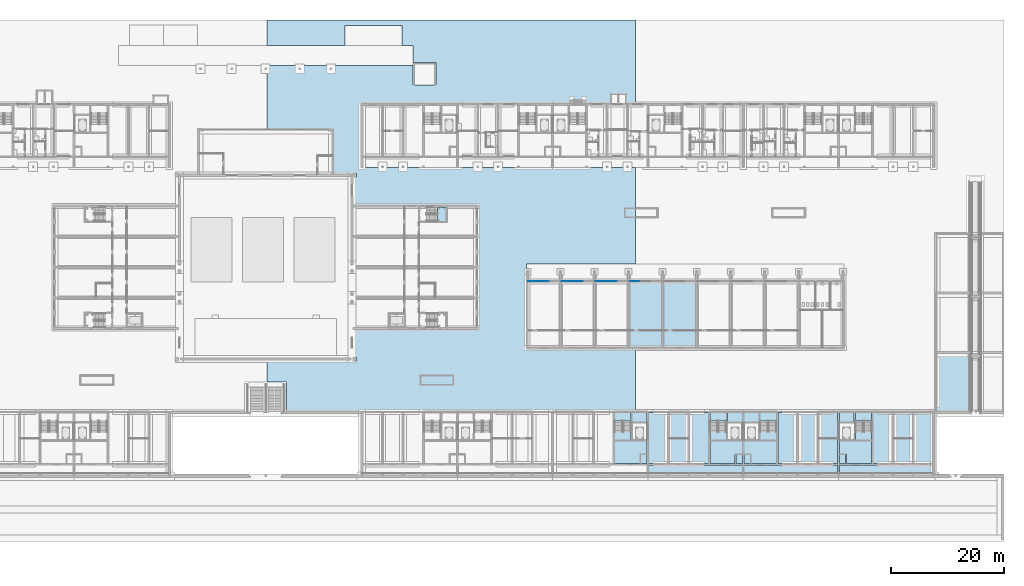
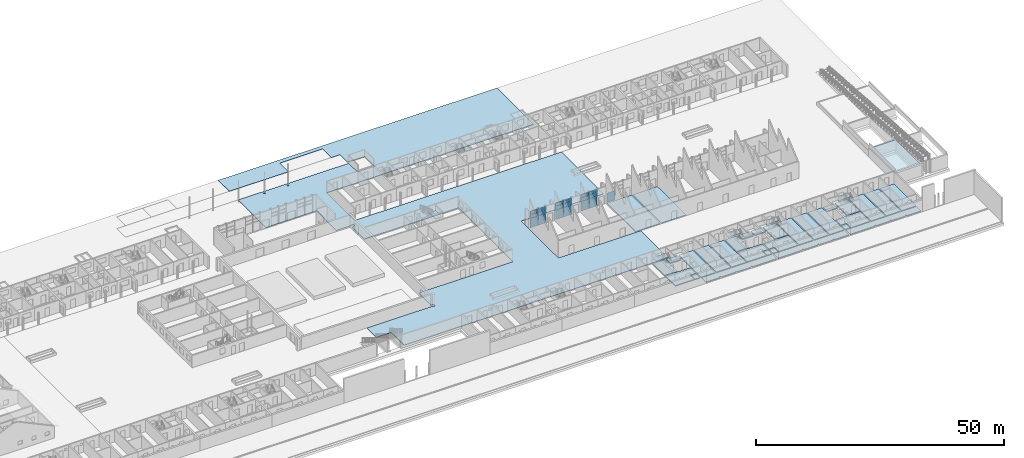
# One storey, part 33 of 112: 37 slabs, 19 plates, 9 elements without a shape of their own.
"""IFC4 building model written with IfcOpenShell, lengths in metres."""

from ifc_helpers import new_model, si_unit, direction, frame, origin, origin_2d, place, context, subcontext, project, spatial, polyline, rectangle, outline, extrude, material, layer, layer_set, type_object, element, aggregate, save


model = new_model("IFC4")

# Units and contexts
model_context = context("Model", 3, precision=1e-05, world=origin(), true_north=direction((0.0, 1.0)))
body_context = subcontext(model_context, "Body", "Model", "MODEL_VIEW")
ifc_project = project(units=[si_unit("LENGTHUNIT", "METRE"), si_unit("AREAUNIT", "SQUARE_METRE"), si_unit("VOLUMEUNIT", "CUBIC_METRE"), si_unit("PLANEANGLEUNIT", "RADIAN"), si_unit("MASSUNIT", "GRAM", prefix="KILO")], contexts=[model_context])

# Site, building, storey
site_placement = place(None, origin())
site = spatial("IfcSite", under=ifc_project, at=site_placement, CompositionType="ELEMENT")
building_placement = place(site_placement, origin())
building = spatial("IfcBuilding", under=site, at=building_placement, Name="Ridgestep Commons", CompositionType="ELEMENT")
storey_placement = place(building_placement, origin())
storey = spatial("IfcBuildingStorey", under=building, at=storey_placement, Name="L00", CompositionType="ELEMENT", Elevation=0.0)

# Curtain wall, plates
ifc_material_1 = material(Name="Aluminium and glass", Category="aluminium")
ifc_layer_1 = layer(ifc_material_1, 0.14990234375)
ifc_layer_set_1 = layer_set([ifc_layer_1], Name="Shopfront curtain wall")
curtain_wall_type = type_object("IfcCurtainWallType", Name="Shopfront curtain wall", PredefinedType="NOTDEFINED", material=ifc_layer_set_1)
curtain_wall_1_placement = place(storey_placement, origin())
curtain_wall_1 = element("IfcCurtainWall", 1, at=curtain_wall_1_placement, inside=storey, type_object=curtain_wall_type, Name="Shopfront curtain wall", PredefinedType="NOTDEFINED")
ifc_material_2 = material(Name="Glass", Category="glass")
ifc_layer_2 = layer(ifc_material_2, 0.011962890625)
ifc_layer_set_2 = layer_set([ifc_layer_2], Name="Community glass panel 12")
plate_type = type_object("IfcPlateType", Name="Community glass panel 12", PredefinedType="CURTAIN_PANEL", material=ifc_layer_set_2)
plate_1_placement = place(storey_placement, frame((176.981201171875, 45.89990234375, 0.0498046875), z_axis=(0.0, 0.0, 1.0), x_axis=(1.0, 0.0, 0.0)))
plate_1 = element("IfcPlate", 2, at=plate_1_placement, type_object=plate_type, Name="CW3 panel 1.1", PredefinedType="CURTAIN_PANEL", context=body_context, shape_type="SweptSolid", body=[
    extrude(rectangle(XDim=1.762451171875, YDim=0.011962890625, at=origin_2d()), origin(), (0.0, 0.0, 1.0), 2.324951171875),
])
plate_2_placement = place(storey_placement, frame((176.981201171875, 45.89990234375, 2.425048828125), z_axis=(0.0, 0.0, 1.0), x_axis=(1.0, 0.0, 0.0)))
plate_2 = element("IfcPlate", 3, at=plate_2_placement, type_object=plate_type, Name="CW3 panel 1.2", PredefinedType="CURTAIN_PANEL", context=body_context, shape_type="SweptSolid", body=[
    extrude(rectangle(XDim=1.762451171875, YDim=0.011962890625, at=origin_2d()), origin(), (0.0, 0.0, 1.0), 0.85009765625),
])
plate_3_placement = place(storey_placement, frame((176.981201171875, 45.89990234375, 3.3251953125), z_axis=(0.0, 0.0, 1.0), x_axis=(1.0, 0.0, 0.0)))
plate_3 = element("IfcPlate", 4, at=plate_3_placement, type_object=plate_type, Name="CW3 panel 1.3", PredefinedType="CURTAIN_PANEL", context=body_context, shape_type="SweptSolid", body=[
    extrude(rectangle(XDim=1.762451171875, YDim=0.011962890625, at=origin_2d()), origin(), (0.0, 0.0, 1.0), 0.824951171875),
])
plate_4_placement = place(storey_placement, frame((178.793701171875, 45.89990234375, 0.0498046875), z_axis=(0.0, 0.0, 1.0), x_axis=(1.0, 0.0, 0.0)))
plate_4 = element("IfcPlate", 5, at=plate_4_placement, type_object=plate_type, Name="CW3 panel 2.1", PredefinedType="CURTAIN_PANEL", context=body_context, shape_type="SweptSolid", body=[
    extrude(rectangle(XDim=1.762451171875, YDim=0.011962890625, at=origin_2d()), origin(), (0.0, 0.0, 1.0), 2.324951171875),
])
plate_5_placement = place(storey_placement, frame((178.793701171875, 45.89990234375, 2.425048828125), z_axis=(0.0, 0.0, 1.0), x_axis=(1.0, 0.0, 0.0)))
plate_5 = element("IfcPlate", 6, at=plate_5_placement, type_object=plate_type, Name="CW3 panel 2.2", PredefinedType="CURTAIN_PANEL", context=body_context, shape_type="SweptSolid", body=[
    extrude(rectangle(XDim=1.762451171875, YDim=0.011962890625, at=origin_2d()), origin(), (0.0, 0.0, 1.0), 0.85009765625),
])
plate_6_placement = place(storey_placement, frame((178.793701171875, 45.89990234375, 3.3251953125), z_axis=(0.0, 0.0, 1.0), x_axis=(1.0, 0.0, 0.0)))
plate_6 = element("IfcPlate", 7, at=plate_6_placement, type_object=plate_type, Name="CW3 panel 2.3", PredefinedType="CURTAIN_PANEL", context=body_context, shape_type="SweptSolid", body=[
    extrude(rectangle(XDim=1.762451171875, YDim=0.011962890625, at=origin_2d()), origin(), (0.0, 0.0, 1.0), 0.824951171875),
])
aggregate(curtain_wall_1, [plate_1, plate_2, plate_3, plate_4, plate_5, plate_6])

curtain_wall_2_placement = place(storey_placement, origin())
curtain_wall_2 = element("IfcCurtainWall", 8, at=curtain_wall_2_placement, inside=storey, type_object=curtain_wall_type, Name="Shopfront curtain wall", PredefinedType="NOTDEFINED")
plate_7_placement = place(storey_placement, frame((182.887451171875, 45.89990234375, 0.0498046875), z_axis=(0.0, 0.0, 1.0), x_axis=(1.0, 0.0, 0.0)))
plate_7 = element("IfcPlate", 9, at=plate_7_placement, type_object=plate_type, Name="CW3 panel 1.1", PredefinedType="CURTAIN_PANEL", context=body_context, shape_type="SweptSolid", body=[
    extrude(rectangle(XDim=1.824951171875, YDim=0.011962890625, at=origin_2d()), origin(), (0.0, 0.0, 1.0), 2.324951171875),
])
plate_8_placement = place(storey_placement, frame((182.887451171875, 45.89990234375, 2.425048828125), z_axis=(0.0, 0.0, 1.0), x_axis=(1.0, 0.0, 0.0)))
plate_8 = element("IfcPlate", 10, at=plate_8_placement, type_object=plate_type, Name="CW3 panel 1.2", PredefinedType="CURTAIN_PANEL", context=body_context, shape_type="SweptSolid", body=[
    extrude(rectangle(XDim=1.824951171875, YDim=0.011962890625, at=origin_2d()), origin(), (0.0, 0.0, 1.0), 0.85009765625),
])
plate_9_placement = place(storey_placement, frame((182.887451171875, 45.89990234375, 3.3251953125), z_axis=(0.0, 0.0, 1.0), x_axis=(1.0, 0.0, 0.0)))
plate_9 = element("IfcPlate", 11, at=plate_9_placement, type_object=plate_type, Name="CW3 panel 1.3", PredefinedType="CURTAIN_PANEL", context=body_context, shape_type="SweptSolid", body=[
    extrude(rectangle(XDim=1.824951171875, YDim=0.011962890625, at=origin_2d()), origin(), (0.0, 0.0, 1.0), 0.824951171875),
])
plate_10_placement = place(storey_placement, frame((184.762451171875, 45.89990234375, 0.0498046875), z_axis=(0.0, 0.0, 1.0), x_axis=(1.0, 0.0, 0.0)))
plate_10 = element("IfcPlate", 12, at=plate_10_placement, type_object=plate_type, Name="CW3 panel 2.1", PredefinedType="CURTAIN_PANEL", context=body_context, shape_type="SweptSolid", body=[
    extrude(rectangle(XDim=1.824951171875, YDim=0.011962890625, at=origin_2d()), origin(), (0.0, 0.0, 1.0), 2.324951171875),
])
plate_11_placement = place(storey_placement, frame((184.762451171875, 45.89990234375, 2.425048828125), z_axis=(0.0, 0.0, 1.0), x_axis=(1.0, 0.0, 0.0)))
plate_11 = element("IfcPlate", 13, at=plate_11_placement, type_object=plate_type, Name="CW3 panel 2.2", PredefinedType="CURTAIN_PANEL", context=body_context, shape_type="SweptSolid", body=[
    extrude(rectangle(XDim=1.824951171875, YDim=0.011962890625, at=origin_2d()), origin(), (0.0, 0.0, 1.0), 0.85009765625),
])
plate_12_placement = place(storey_placement, frame((184.762451171875, 45.89990234375, 3.3251953125), z_axis=(0.0, 0.0, 1.0), x_axis=(1.0, 0.0, 0.0)))
plate_12 = element("IfcPlate", 14, at=plate_12_placement, type_object=plate_type, Name="CW3 panel 2.3", PredefinedType="CURTAIN_PANEL", context=body_context, shape_type="SweptSolid", body=[
    extrude(rectangle(XDim=1.824951171875, YDim=0.011962890625, at=origin_2d()), origin(), (0.0, 0.0, 1.0), 0.824951171875),
])
aggregate(curtain_wall_2, [plate_7, plate_8, plate_9, plate_10, plate_11, plate_12])

curtain_wall_3_placement = place(storey_placement, origin())
curtain_wall_3 = element("IfcCurtainWall", 15, at=curtain_wall_3_placement, inside=storey, type_object=curtain_wall_type, Name="Shopfront curtain wall", PredefinedType="NOTDEFINED")
plate_13_placement = place(storey_placement, frame((188.887451171875, 45.89990234375, 0.0498046875), z_axis=(0.0, 0.0, 1.0), x_axis=(1.0, 0.0, 0.0)))
plate_13 = element("IfcPlate", 16, at=plate_13_placement, type_object=plate_type, Name="CW3 panel 1.1", PredefinedType="CURTAIN_PANEL", context=body_context, shape_type="SweptSolid", body=[
    extrude(rectangle(XDim=1.824951171875, YDim=0.011962890625, at=origin_2d()), origin(), (0.0, 0.0, 1.0), 2.324951171875),
])
plate_14_placement = place(storey_placement, frame((188.887451171875, 45.89990234375, 2.425048828125), z_axis=(0.0, 0.0, 1.0), x_axis=(1.0, 0.0, 0.0)))
plate_14 = element("IfcPlate", 17, at=plate_14_placement, type_object=plate_type, Name="CW3 panel 1.2", PredefinedType="CURTAIN_PANEL", context=body_context, shape_type="SweptSolid", body=[
    extrude(rectangle(XDim=1.824951171875, YDim=0.011962890625, at=origin_2d()), origin(), (0.0, 0.0, 1.0), 0.85009765625),
])
plate_15_placement = place(storey_placement, frame((188.887451171875, 45.89990234375, 3.3251953125), z_axis=(0.0, 0.0, 1.0), x_axis=(1.0, 0.0, 0.0)))
plate_15 = element("IfcPlate", 18, at=plate_15_placement, type_object=plate_type, Name="CW3 panel 1.3", PredefinedType="CURTAIN_PANEL", context=body_context, shape_type="SweptSolid", body=[
    extrude(rectangle(XDim=1.824951171875, YDim=0.011962890625, at=origin_2d()), origin(), (0.0, 0.0, 1.0), 0.824951171875),
])
plate_16_placement = place(storey_placement, frame((190.762451171875, 45.89990234375, 0.0498046875), z_axis=(0.0, 0.0, 1.0), x_axis=(1.0, 0.0, 0.0)))
plate_16 = element("IfcPlate", 19, at=plate_16_placement, type_object=plate_type, Name="CW3 panel 2.1", PredefinedType="CURTAIN_PANEL", context=body_context, shape_type="SweptSolid", body=[
    extrude(rectangle(XDim=1.824951171875, YDim=0.011962890625, at=origin_2d()), origin(), (0.0, 0.0, 1.0), 2.324951171875),
])
plate_17_placement = place(storey_placement, frame((190.762451171875, 45.89990234375, 2.425048828125), z_axis=(0.0, 0.0, 1.0), x_axis=(1.0, 0.0, 0.0)))
plate_17 = element("IfcPlate", 20, at=plate_17_placement, type_object=plate_type, Name="CW3 panel 2.2", PredefinedType="CURTAIN_PANEL", context=body_context, shape_type="SweptSolid", body=[
    extrude(rectangle(XDim=1.824951171875, YDim=0.011962890625, at=origin_2d()), origin(), (0.0, 0.0, 1.0), 0.85009765625),
])
plate_18_placement = place(storey_placement, frame((190.762451171875, 45.89990234375, 3.3251953125), z_axis=(0.0, 0.0, 1.0), x_axis=(1.0, 0.0, 0.0)))
plate_18 = element("IfcPlate", 21, at=plate_18_placement, type_object=plate_type, Name="CW3 panel 2.3", PredefinedType="CURTAIN_PANEL", context=body_context, shape_type="SweptSolid", body=[
    extrude(rectangle(XDim=1.824951171875, YDim=0.011962890625, at=origin_2d()), origin(), (0.0, 0.0, 1.0), 0.824951171875),
])
aggregate(curtain_wall_3, [plate_13, plate_14, plate_15, plate_16, plate_17, plate_18])

# Curtain wall, plate
curtain_wall_4_placement = place(storey_placement, origin())
curtain_wall_4 = element("IfcCurtainWall", 22, at=curtain_wall_4_placement, inside=storey, type_object=curtain_wall_type, Name="Shopfront curtain wall", PredefinedType="NOTDEFINED")
plate_19_placement = place(storey_placement, frame((194.887451171875, 45.89990234375, 0.0498046875), z_axis=(0.0, 0.0, 1.0), x_axis=(1.0, 0.0, 0.0)))
plate_19 = element("IfcPlate", 23, at=plate_19_placement, type_object=plate_type, Name="CW3 panel 1.1", PredefinedType="CURTAIN_PANEL", context=body_context, shape_type="SweptSolid", body=[
    extrude(rectangle(XDim=1.824951171875, YDim=0.011962890625, at=origin_2d()), origin(), (0.0, 0.0, 1.0), 2.324951171875),
])
aggregate(curtain_wall_4, [plate_19])

# Slabs
ifc_material_3 = material(Name="Concrete C30/37", Category="concrete")
ifc_layer_3 = layer(ifc_material_3, 0.14990234375)
ifc_layer_set_3 = layer_set([ifc_layer_3], Name="Community ground slab 150")
slab_type_1 = type_object("IfcSlabType", Name="Community ground slab 150", PredefinedType="BASESLAB", material=ifc_layer_set_3)
slab_1_placement = place(storey_placement, frame((0.0, 0.0, -0.14990234375)))
element("IfcSlab", 24, at=slab_1_placement, inside=storey, type_object=slab_type_1, Name="Community ground slab 150", PredefinedType="BASESLAB", context=body_context, shape_type="SweptSolid", body=[
    extrude(outline(polyline([(193.925048828125, 34.25), (199.675048828125, 34.25), (199.675048828125, 45.800048828125), (193.925048828125, 45.800048828125), (193.925048828125, 34.25)])), origin(), (0.0, 0.0, 1.0), 0.14990234375),
])
slab_2_placement = place(storey_placement, frame((0.0, 0.0, -0.14990234375)))
element("IfcSlab", 25, at=slab_2_placement, inside=storey, type_object=slab_type_1, Name="Community ground slab 150", PredefinedType="BASESLAB", context=body_context, shape_type="SweptSolid", body=[
    extrude(outline(polyline([(199.925048828125, 34.25), (205.675048828125, 34.25), (205.675048828125, 45.800048828125), (199.925048828125, 45.800048828125), (199.925048828125, 34.25)])), origin(), (0.0, 0.0, 1.0), 0.14990234375),
])
ifc_material_4 = material(Name="Concrete C30/37", Category="concrete")
ifc_layer_4 = layer(ifc_material_4, 0.14990234375)
ifc_layer_set_4 = layer_set([ifc_layer_4], Name="Community paving slab 150")
slab_type_2 = type_object("IfcSlabType", Name="Community paving slab 150", PredefinedType="BASESLAB", material=ifc_layer_set_4)
slab_3_placement = place(storey_placement, frame((0.0, 0.0, -0.14990234375)))
element("IfcSlab", 26, at=slab_3_placement, inside=storey, type_object=slab_type_2, Name="Court paving", PredefinedType="BASESLAB", context=body_context, shape_type="SweptSolid", body=[
    extrude(outline(polyline([(195.0, 23.0), (133.5, 23.0), (133.5, 28.199951171875), (132.800048828125, 28.199951171875), (132.5, 28.199951171875), (130.300048828125, 28.199951171875), (130.0, 28.199951171875), (130.0, 32.0), (145.199951171875, 32.0), (145.199951171875, 31.89990234375), (145.800048828125, 31.89990234375), (145.800048828125, 32.5), (145.199951171875, 32.5), (145.199951171875, 37.449951171875), (167.199951171875, 37.449951171875), (167.199951171875, 59.35009765625), (145.199951171875, 59.35009765625), (145.199951171875, 64.300048828125), (145.800048828125, 64.300048828125), (145.800048828125, 64.89990234375), (145.199951171875, 64.89990234375), (145.199951171875, 64.800048828125), (141.800048828125, 64.800048828125), (141.800048828125, 72.800048828125), (130.0, 72.800048828125), (130.0, 84.0), (155.800048828125, 84.0), (155.800048828125, 80.5), (159.800048828125, 80.5), (159.800048828125, 84.5), (155.800048828125, 84.5), (155.800048828125, 87.5), (153.800048828125, 87.5), (153.800048828125, 91.0), (143.800048828125, 91.0), (143.800048828125, 87.5), (130.0, 87.5), (130.0, 92.0), (195.0, 92.0), (195.0, 77.25), (146.800048828125, 77.25), (146.800048828125, 66.0), (195.0, 66.0), (195.0, 49.0), (175.800048828125, 49.0), (175.800048828125, 34.0), (195.0, 34.0), (195.0, 23.0)]), holes=[polyline([(135.949951171875, 83.25), (135.949951171875, 83.550048828125), (135.64990234375, 83.550048828125), (135.64990234375, 83.25), (135.949951171875, 83.25)]), polyline([(141.449951171875, 83.550048828125), (141.14990234375, 83.550048828125), (141.14990234375, 83.25), (141.449951171875, 83.25), (141.449951171875, 83.550048828125)])]), origin(), (0.0, 0.0, 1.0), 0.14990234375),
])

# Stair, slab
ifc_material_5 = material(Name="Concrete C30/37", Category="concrete")
stair_type_1 = type_object("IfcStairType", Name="Community stair", PredefinedType="HALF_TURN_STAIR", material=ifc_material_5)
stair_1_placement = place(storey_placement, origin())
stair_1 = element("IfcStair", 27, at=stair_1_placement, inside=storey, type_object=stair_type_1, Name="L00 AE-ST3", PredefinedType="HALF_TURN_STAIR")
ifc_material_6 = material(Name="Concrete C30/37", Category="concrete")
ifc_layer_5 = layer(ifc_material_6, 0.199951171875)
ifc_layer_set_5 = layer_set([ifc_layer_5], Name="Community stair landing slab 200")
slab_type_3 = type_object("IfcSlabType", Name="Community stair landing slab 200", PredefinedType="LANDING", material=ifc_layer_set_5)
slab_4_placement = place(storey_placement, frame((0.0, 0.0, 1.300048828125)))
slab_4 = element("IfcSlab", 28, at=slab_4_placement, type_object=slab_type_3, Name="AE-ST3 landing 1", PredefinedType="LANDING", context=body_context, shape_type="SweptSolid", body=[
    extrude(outline(polyline([(160.110107421875, 56.5), (161.590087890625, 56.5), (161.590087890625, 59.050048828125), (160.110107421875, 59.050048828125), (160.110107421875, 56.5)])), origin(), (0.0, 0.0, 1.0), 0.199951171875),
])
aggregate(stair_1, [slab_4])

# Slabs
ifc_material_7 = material(Name="Concrete C30/37", Category="concrete")
ifc_layer_6 = layer(ifc_material_7, 0.14990234375)
ifc_layer_set_6 = layer_set([ifc_layer_6], Name="Community terrace slab 150")
slab_type_4 = type_object("IfcSlabType", Name="Community terrace slab 150", PredefinedType="BASESLAB", material=ifc_layer_set_6)
slab_5_placement = place(storey_placement, frame((0.0, 0.0, 2.10009765625)))
element("IfcSlab", 29, at=slab_5_placement, inside=storey, type_object=slab_type_4, Name="Bank terrace paving", PredefinedType="BASESLAB", context=body_context, shape_type="SweptSolid", body=[
    extrude(outline(polyline([(248.10009765625, 23.0), (253.949951171875, 23.0), (253.949951171875, 33.199951171875), (248.10009765625, 33.199951171875), (248.10009765625, 23.0)])), origin(), (0.0, 0.0, 1.0), 0.14990234375),
])
ifc_material_8 = material(Name="Precast concrete C40/50", Category="concrete")
ifc_layer_7 = layer(ifc_material_8, 0.199951171875)
ifc_layer_set_7 = layer_set([ifc_layer_7], Name="Gallery slab 200")
slab_type_5 = type_object("IfcSlabType", Name="Gallery slab 200", PredefinedType="FLOOR", material=ifc_layer_set_7)
slab_6_placement = place(storey_placement, frame((0.0, 0.0, -0.199951171875)))
element("IfcSlab", 30, at=slab_6_placement, inside=storey, type_object=slab_type_5, Name="Gallery slab D4 L00", PredefinedType="FLOOR", context=body_context, shape_type="SweptSolid", body=[
    extrude(outline(polyline([(213.85009765625, 13.550048828125), (197.35009765625, 13.550048828125), (197.35009765625, 11.75), (200.675048828125, 11.75), (200.675048828125, 12.0), (200.925048828125, 12.0), (200.925048828125, 11.75), (204.27490234375, 11.75), (204.27490234375, 12.0), (204.52490234375, 12.0), (204.52490234375, 11.75), (207.875, 11.75), (207.875, 12.0), (208.125, 12.0), (208.125, 11.75), (213.85009765625, 11.75), (213.85009765625, 13.550048828125)])), origin(), (0.0, 0.0, 1.0), 0.199951171875),
])
slab_7_placement = place(storey_placement, frame((0.0, 0.0, -0.199951171875)))
element("IfcSlab", 31, at=slab_7_placement, inside=storey, type_object=slab_type_5, Name="Gallery slab D5 L00", PredefinedType="FLOOR", context=body_context, shape_type="SweptSolid", body=[
    extrude(outline(polyline([(230.64990234375, 13.550048828125), (214.14990234375, 13.550048828125), (214.14990234375, 11.75), (219.875, 11.75), (219.875, 12.0), (220.125, 12.0), (220.125, 11.75), (223.47509765625, 11.75), (223.47509765625, 12.0), (223.72509765625, 12.0), (223.72509765625, 11.75), (227.074951171875, 11.75), (227.074951171875, 12.0), (227.324951171875, 12.0), (227.324951171875, 11.75), (230.64990234375, 11.75), (230.64990234375, 13.550048828125)])), origin(), (0.0, 0.0, 1.0), 0.199951171875),
])
slab_8_placement = place(storey_placement, frame((0.0, 0.0, -0.199951171875)))
element("IfcSlab", 32, at=slab_8_placement, inside=storey, type_object=slab_type_5, Name="Gallery slab D6 L00", PredefinedType="FLOOR", context=body_context, shape_type="SweptSolid", body=[
    extrude(outline(polyline([(247.449951171875, 13.550048828125), (230.949951171875, 13.550048828125), (230.949951171875, 11.75), (236.675048828125, 11.75), (236.675048828125, 12.0), (236.925048828125, 12.0), (236.925048828125, 11.75), (240.27490234375, 11.75), (240.27490234375, 12.0), (240.52490234375, 12.0), (240.52490234375, 11.75), (243.875, 11.75), (243.875, 12.0), (244.125, 12.0), (244.125, 11.75), (247.449951171875, 11.75), (247.449951171875, 13.550048828125)])), origin(), (0.0, 0.0, 1.0), 0.199951171875),
])
ifc_material_9 = material(Name="Concrete C30/37", Category="concrete")
ifc_layer_8 = layer(ifc_material_9, 0.25)
ifc_layer_set_8 = layer_set([ifc_layer_8], Name="Slab on grade 250")
slab_type_6 = type_object("IfcSlabType", Name="Slab on grade 250", PredefinedType="BASESLAB", material=ifc_layer_set_8)
slab_9_placement = place(storey_placement, frame((0.0, 0.0, -0.25)))
element("IfcSlab", 33, at=slab_9_placement, inside=storey, type_object=slab_type_6, Name="Slab on grade D3C", PredefinedType="BASESLAB", context=body_context, shape_type="SweptSolid", body=[
    extrude(outline(polyline([(195.919921875, 15.469970703125), (197.050048828125, 15.469970703125), (197.050048828125, 17.75), (191.324951171875, 17.75), (191.324951171875, 13.75), (195.800048828125, 13.75), (195.800048828125, 15.469970703125), (195.919921875, 15.469970703125)])), origin(), (0.0, 0.0, 1.0), 0.25),
])
slab_10_placement = place(storey_placement, frame((0.0, 0.0, -0.25)))
element("IfcSlab", 34, at=slab_10_placement, inside=storey, type_object=slab_type_6, Name="Slab on grade D3C", PredefinedType="BASESLAB", context=body_context, shape_type="SweptSolid", body=[
    extrude(outline(polyline([(194.22509765625, 22.75), (191.324951171875, 22.75), (191.324951171875, 17.949951171875), (194.22509765625, 17.949951171875), (194.22509765625, 22.75)])), origin(), (0.0, 0.0, 1.0), 0.25),
])
slab_11_placement = place(storey_placement, frame((0.0, 0.0, -0.25)))
element("IfcSlab", 35, at=slab_11_placement, inside=storey, type_object=slab_type_6, Name="Slab on grade D3C", PredefinedType="BASESLAB", context=body_context, shape_type="SweptSolid", body=[
    extrude(outline(polyline([(197.050048828125, 21.14990234375), (197.050048828125, 22.75), (194.425048828125, 22.75), (194.425048828125, 21.14990234375), (197.050048828125, 21.14990234375)])), origin(), (0.0, 0.0, 1.0), 0.25),
])
slab_12_placement = place(storey_placement, frame((0.0, 0.0, -0.25)))
element("IfcSlab", 36, at=slab_12_placement, inside=storey, type_object=slab_type_6, Name="Slab on grade D3C", PredefinedType="BASESLAB", context=body_context, shape_type="SweptSolid", body=[
    extrude(outline(polyline([(195.919921875, 13.75), (197.050048828125, 13.75), (197.050048828125, 15.35009765625), (195.919921875, 15.35009765625), (195.919921875, 13.75)])), origin(), (0.0, 0.0, 1.0), 0.25),
])
slab_13_placement = place(storey_placement, frame((0.0, 0.0, -0.25)))
element("IfcSlab", 37, at=slab_13_placement, inside=storey, type_object=slab_type_6, Name="Slab on grade D4T1", PredefinedType="BASESLAB", context=body_context, shape_type="SweptSolid", body=[
    extrude(outline(polyline([(200.675048828125, 13.75), (200.675048828125, 22.75), (197.35009765625, 22.75), (197.35009765625, 13.75), (200.675048828125, 13.75)])), origin(), (0.0, 0.0, 1.0), 0.25),
])
slab_14_placement = place(storey_placement, frame((0.0, 0.0, -0.25)))
element("IfcSlab", 38, at=slab_14_placement, inside=storey, type_object=slab_type_6, Name="Slab on grade D4T2", PredefinedType="BASESLAB", context=body_context, shape_type="SweptSolid", body=[
    extrude(outline(polyline([(204.27490234375, 13.75), (204.27490234375, 22.75), (200.925048828125, 22.75), (200.925048828125, 13.75), (204.27490234375, 13.75)])), origin(), (0.0, 0.0, 1.0), 0.25),
])
slab_15_placement = place(storey_placement, frame((0.0, 0.0, -0.25)))
element("IfcSlab", 39, at=slab_15_placement, inside=storey, type_object=slab_type_6, Name="Slab on grade D4T3", PredefinedType="BASESLAB", context=body_context, shape_type="SweptSolid", body=[
    extrude(outline(polyline([(207.875, 13.75), (207.875, 22.75), (204.52490234375, 22.75), (204.52490234375, 13.75), (207.875, 13.75)])), origin(), (0.0, 0.0, 1.0), 0.25),
])
slab_16_placement = place(storey_placement, frame((0.0, 0.0, -0.25)))
element("IfcSlab", 40, at=slab_16_placement, inside=storey, type_object=slab_type_6, Name="Slab on grade D4C", PredefinedType="BASESLAB", context=body_context, shape_type="SweptSolid", body=[
    extrude(outline(polyline([(212.719970703125, 15.469970703125), (213.85009765625, 15.469970703125), (213.85009765625, 17.75), (208.125, 17.75), (208.125, 13.75), (212.60009765625, 13.75), (212.60009765625, 15.469970703125), (212.719970703125, 15.469970703125)])), origin(), (0.0, 0.0, 1.0), 0.25),
])
slab_17_placement = place(storey_placement, frame((0.0, 0.0, -0.25)))
element("IfcSlab", 41, at=slab_17_placement, inside=storey, type_object=slab_type_6, Name="Slab on grade D4C", PredefinedType="BASESLAB", context=body_context, shape_type="SweptSolid", body=[
    extrude(outline(polyline([(211.02490234375, 22.75), (208.125, 22.75), (208.125, 17.949951171875), (211.02490234375, 17.949951171875), (211.02490234375, 22.75)])), origin(), (0.0, 0.0, 1.0), 0.25),
])
slab_18_placement = place(storey_placement, frame((0.0, 0.0, -0.25)))
element("IfcSlab", 42, at=slab_18_placement, inside=storey, type_object=slab_type_6, Name="Slab on grade D4C", PredefinedType="BASESLAB", context=body_context, shape_type="SweptSolid", body=[
    extrude(outline(polyline([(213.85009765625, 21.14990234375), (213.85009765625, 22.75), (211.22509765625, 22.75), (211.22509765625, 21.14990234375), (213.85009765625, 21.14990234375)])), origin(), (0.0, 0.0, 1.0), 0.25),
])
slab_19_placement = place(storey_placement, frame((0.0, 0.0, -0.25)))
element("IfcSlab", 43, at=slab_19_placement, inside=storey, type_object=slab_type_6, Name="Slab on grade D4C", PredefinedType="BASESLAB", context=body_context, shape_type="SweptSolid", body=[
    extrude(outline(polyline([(212.719970703125, 13.75), (213.85009765625, 13.75), (213.85009765625, 15.35009765625), (212.719970703125, 15.35009765625), (212.719970703125, 13.75)])), origin(), (0.0, 0.0, 1.0), 0.25),
])
slab_20_placement = place(storey_placement, frame((0.0, 0.0, -0.25)))
element("IfcSlab", 44, at=slab_20_placement, inside=storey, type_object=slab_type_6, Name="Slab on grade D5C", PredefinedType="BASESLAB", context=body_context, shape_type="SweptSolid", body=[
    extrude(outline(polyline([(215.39990234375, 13.75), (219.875, 13.75), (219.875, 17.75), (214.14990234375, 17.75), (214.14990234375, 15.469970703125), (215.280029296875, 15.469970703125), (215.39990234375, 15.469970703125), (215.39990234375, 13.75)])), origin(), (0.0, 0.0, 1.0), 0.25),
])
slab_21_placement = place(storey_placement, frame((0.0, 0.0, -0.25)))
element("IfcSlab", 45, at=slab_21_placement, inside=storey, type_object=slab_type_6, Name="Slab on grade D5C", PredefinedType="BASESLAB", context=body_context, shape_type="SweptSolid", body=[
    extrude(outline(polyline([(219.875, 17.949951171875), (219.875, 22.75), (216.97509765625, 22.75), (216.97509765625, 17.949951171875), (219.875, 17.949951171875)])), origin(), (0.0, 0.0, 1.0), 0.25),
])
slab_22_placement = place(storey_placement, frame((0.0, 0.0, -0.25)))
element("IfcSlab", 46, at=slab_22_placement, inside=storey, type_object=slab_type_6, Name="Slab on grade D5C", PredefinedType="BASESLAB", context=body_context, shape_type="SweptSolid", body=[
    extrude(outline(polyline([(216.77490234375, 22.75), (214.14990234375, 22.75), (214.14990234375, 21.14990234375), (216.77490234375, 21.14990234375), (216.77490234375, 22.75)])), origin(), (0.0, 0.0, 1.0), 0.25),
])
slab_23_placement = place(storey_placement, frame((0.0, 0.0, -0.25)))
element("IfcSlab", 47, at=slab_23_placement, inside=storey, type_object=slab_type_6, Name="Slab on grade D5C", PredefinedType="BASESLAB", context=body_context, shape_type="SweptSolid", body=[
    extrude(outline(polyline([(215.280029296875, 15.35009765625), (214.14990234375, 15.35009765625), (214.14990234375, 13.75), (215.280029296875, 13.75), (215.280029296875, 15.35009765625)])), origin(), (0.0, 0.0, 1.0), 0.25),
])
slab_24_placement = place(storey_placement, frame((0.0, 0.0, -0.25)))
element("IfcSlab", 48, at=slab_24_placement, inside=storey, type_object=slab_type_6, Name="Slab on grade D5T3", PredefinedType="BASESLAB", context=body_context, shape_type="SweptSolid", body=[
    extrude(outline(polyline([(223.47509765625, 13.75), (223.47509765625, 22.75), (220.125, 22.75), (220.125, 13.75), (223.47509765625, 13.75)])), origin(), (0.0, 0.0, 1.0), 0.25),
])
slab_25_placement = place(storey_placement, frame((0.0, 0.0, -0.25)))
element("IfcSlab", 49, at=slab_25_placement, inside=storey, type_object=slab_type_6, Name="Slab on grade D5T2", PredefinedType="BASESLAB", context=body_context, shape_type="SweptSolid", body=[
    extrude(outline(polyline([(227.074951171875, 13.75), (227.074951171875, 22.75), (223.72509765625, 22.75), (223.72509765625, 13.75), (227.074951171875, 13.75)])), origin(), (0.0, 0.0, 1.0), 0.25),
])
slab_26_placement = place(storey_placement, frame((0.0, 0.0, -0.25)))
element("IfcSlab", 50, at=slab_26_placement, inside=storey, type_object=slab_type_6, Name="Slab on grade D5T1", PredefinedType="BASESLAB", context=body_context, shape_type="SweptSolid", body=[
    extrude(outline(polyline([(230.64990234375, 13.75), (230.64990234375, 22.75), (227.324951171875, 22.75), (227.324951171875, 13.75), (230.64990234375, 13.75)])), origin(), (0.0, 0.0, 1.0), 0.25),
])
slab_27_placement = place(storey_placement, frame((0.0, 0.0, -0.25)))
element("IfcSlab", 51, at=slab_27_placement, inside=storey, type_object=slab_type_6, Name="Slab on grade D6C", PredefinedType="BASESLAB", context=body_context, shape_type="SweptSolid", body=[
    extrude(outline(polyline([(232.199951171875, 13.75), (236.675048828125, 13.75), (236.675048828125, 17.75), (230.949951171875, 17.75), (230.949951171875, 15.469970703125), (232.080078125, 15.469970703125), (232.199951171875, 15.469970703125), (232.199951171875, 13.75)])), origin(), (0.0, 0.0, 1.0), 0.25),
])
slab_28_placement = place(storey_placement, frame((0.0, 0.0, -0.25)))
element("IfcSlab", 52, at=slab_28_placement, inside=storey, type_object=slab_type_6, Name="Slab on grade D6C", PredefinedType="BASESLAB", context=body_context, shape_type="SweptSolid", body=[
    extrude(outline(polyline([(236.675048828125, 17.949951171875), (236.675048828125, 22.75), (233.77490234375, 22.75), (233.77490234375, 17.949951171875), (236.675048828125, 17.949951171875)])), origin(), (0.0, 0.0, 1.0), 0.25),
])
slab_29_placement = place(storey_placement, frame((0.0, 0.0, -0.25)))
element("IfcSlab", 53, at=slab_29_placement, inside=storey, type_object=slab_type_6, Name="Slab on grade D6C", PredefinedType="BASESLAB", context=body_context, shape_type="SweptSolid", body=[
    extrude(outline(polyline([(233.574951171875, 22.75), (230.949951171875, 22.75), (230.949951171875, 21.14990234375), (233.574951171875, 21.14990234375), (233.574951171875, 22.75)])), origin(), (0.0, 0.0, 1.0), 0.25),
])
slab_30_placement = place(storey_placement, frame((0.0, 0.0, -0.25)))
element("IfcSlab", 54, at=slab_30_placement, inside=storey, type_object=slab_type_6, Name="Slab on grade D6C", PredefinedType="BASESLAB", context=body_context, shape_type="SweptSolid", body=[
    extrude(outline(polyline([(232.080078125, 15.35009765625), (230.949951171875, 15.35009765625), (230.949951171875, 13.75), (232.080078125, 13.75), (232.080078125, 15.35009765625)])), origin(), (0.0, 0.0, 1.0), 0.25),
])
slab_31_placement = place(storey_placement, frame((0.0, 0.0, -0.25)))
element("IfcSlab", 55, at=slab_31_placement, inside=storey, type_object=slab_type_6, Name="Slab on grade D6T3", PredefinedType="BASESLAB", context=body_context, shape_type="SweptSolid", body=[
    extrude(outline(polyline([(240.27490234375, 13.75), (240.27490234375, 22.75), (236.925048828125, 22.75), (236.925048828125, 13.75), (240.27490234375, 13.75)])), origin(), (0.0, 0.0, 1.0), 0.25),
])
slab_32_placement = place(storey_placement, frame((0.0, 0.0, -0.25)))
element("IfcSlab", 56, at=slab_32_placement, inside=storey, type_object=slab_type_6, Name="Slab on grade D6T2", PredefinedType="BASESLAB", context=body_context, shape_type="SweptSolid", body=[
    extrude(outline(polyline([(243.875, 13.75), (243.875, 22.75), (240.52490234375, 22.75), (240.52490234375, 13.75), (243.875, 13.75)])), origin(), (0.0, 0.0, 1.0), 0.25),
])
slab_33_placement = place(storey_placement, frame((0.0, 0.0, -0.25)))
element("IfcSlab", 57, at=slab_33_placement, inside=storey, type_object=slab_type_6, Name="Slab on grade D6T1", PredefinedType="BASESLAB", context=body_context, shape_type="SweptSolid", body=[
    extrude(outline(polyline([(247.449951171875, 13.75), (247.449951171875, 22.75), (244.125, 22.75), (244.125, 13.75), (247.449951171875, 13.75)])), origin(), (0.0, 0.0, 1.0), 0.25),
])

# Stair, slab
ifc_material_10 = material(Name="Precast concrete C40/50", Category="concrete")
stair_type_2 = type_object("IfcStairType", Name="Escape stair 1400", PredefinedType="HALF_TURN_STAIR", material=ifc_material_10)
stair_2_placement = place(storey_placement, origin())
stair_2 = element("IfcStair", 58, at=stair_2_placement, inside=storey, type_object=stair_type_2, Name="L00 Escape stair D3C", PredefinedType="HALF_TURN_STAIR")
ifc_material_11 = material(Name="Precast concrete C40/50", Category="concrete")
ifc_layer_9 = layer(ifc_material_11, 0.199951171875)
ifc_layer_set_9 = layer_set([ifc_layer_9], Name="Stair landing 200")
slab_type_7 = type_object("IfcSlabType", Name="Stair landing 200", PredefinedType="LANDING", material=ifc_layer_set_9)
slab_34_placement = place(storey_placement, frame((0.0, 0.0, 1.300048828125)))
slab_34 = element("IfcSlab", 59, at=slab_34_placement, type_object=slab_type_7, Name="D3C landing 1", PredefinedType="LANDING", context=body_context, shape_type="SweptSolid", body=[
    extrude(outline(polyline([(194.22509765625, 21.31005859375), (194.22509765625, 22.75), (191.324951171875, 22.75), (191.324951171875, 21.31005859375), (194.22509765625, 21.31005859375)])), origin(), (0.0, 0.0, 1.0), 0.199951171875),
])
aggregate(stair_2, [slab_34])

stair_3_placement = place(storey_placement, origin())
stair_3 = element("IfcStair", 60, at=stair_3_placement, inside=storey, type_object=stair_type_2, Name="L00 Escape stair D4C", PredefinedType="HALF_TURN_STAIR")
slab_35_placement = place(storey_placement, frame((0.0, 0.0, 1.300048828125)))
slab_35 = element("IfcSlab", 61, at=slab_35_placement, type_object=slab_type_7, Name="D4C landing 1", PredefinedType="LANDING", context=body_context, shape_type="SweptSolid", body=[
    extrude(outline(polyline([(211.02490234375, 21.31005859375), (211.02490234375, 22.75), (208.125, 22.75), (208.125, 21.31005859375), (211.02490234375, 21.31005859375)])), origin(), (0.0, 0.0, 1.0), 0.199951171875),
])
aggregate(stair_3, [slab_35])

stair_4_placement = place(storey_placement, origin())
stair_4 = element("IfcStair", 62, at=stair_4_placement, inside=storey, type_object=stair_type_2, Name="L00 Escape stair D5C", PredefinedType="HALF_TURN_STAIR")
slab_36_placement = place(storey_placement, frame((0.0, 0.0, 1.300048828125)))
slab_36 = element("IfcSlab", 63, at=slab_36_placement, type_object=slab_type_7, Name="D5C landing 1", PredefinedType="LANDING", context=body_context, shape_type="SweptSolid", body=[
    extrude(outline(polyline([(219.875, 21.31005859375), (219.875, 22.75), (216.97509765625, 22.75), (216.97509765625, 21.31005859375), (219.875, 21.31005859375)])), origin(), (0.0, 0.0, 1.0), 0.199951171875),
])
aggregate(stair_4, [slab_36])

stair_5_placement = place(storey_placement, origin())
stair_5 = element("IfcStair", 64, at=stair_5_placement, inside=storey, type_object=stair_type_2, Name="L00 Escape stair D6C", PredefinedType="HALF_TURN_STAIR")
slab_37_placement = place(storey_placement, frame((0.0, 0.0, 1.300048828125)))
slab_37 = element("IfcSlab", 65, at=slab_37_placement, type_object=slab_type_7, Name="D6C landing 1", PredefinedType="LANDING", context=body_context, shape_type="SweptSolid", body=[
    extrude(outline(polyline([(236.675048828125, 21.31005859375), (236.675048828125, 22.75), (233.77490234375, 22.75), (233.77490234375, 21.31005859375), (236.675048828125, 21.31005859375)])), origin(), (0.0, 0.0, 1.0), 0.199951171875),
])
aggregate(stair_5, [slab_37])

save(model, "model.ifc")
